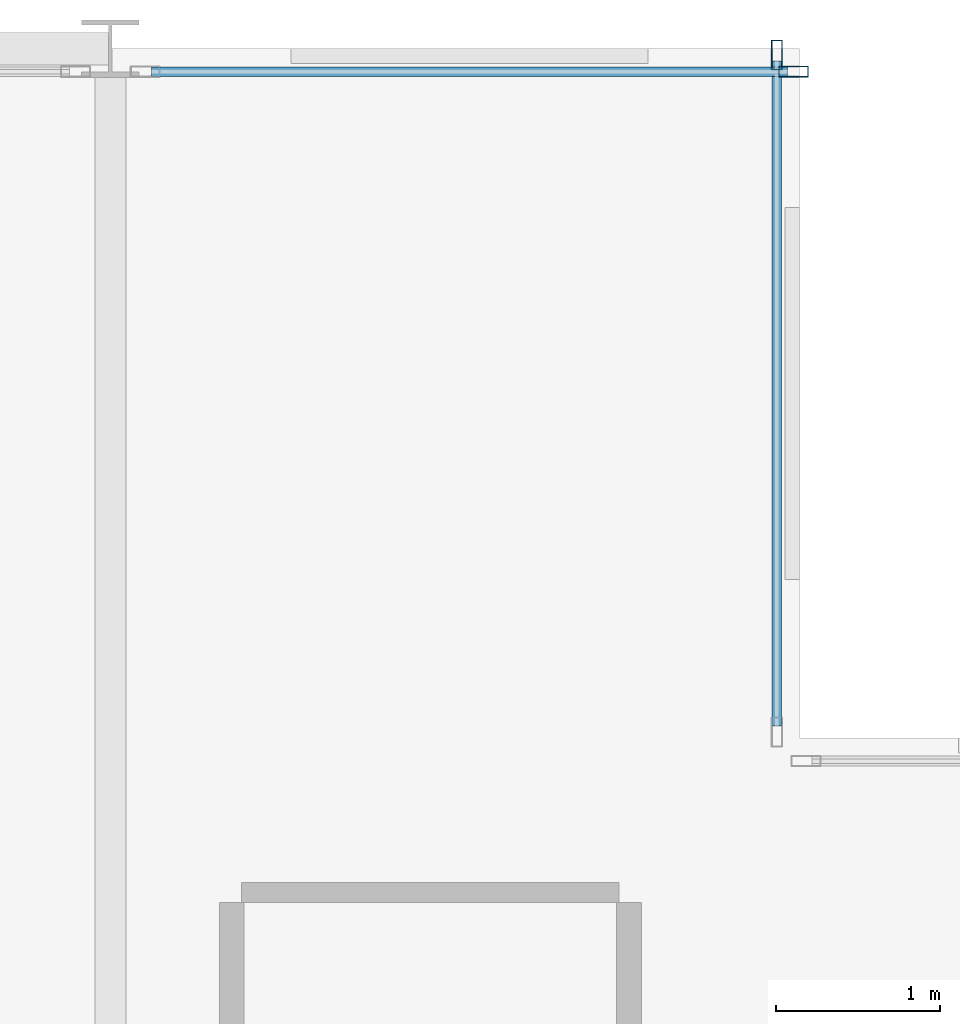
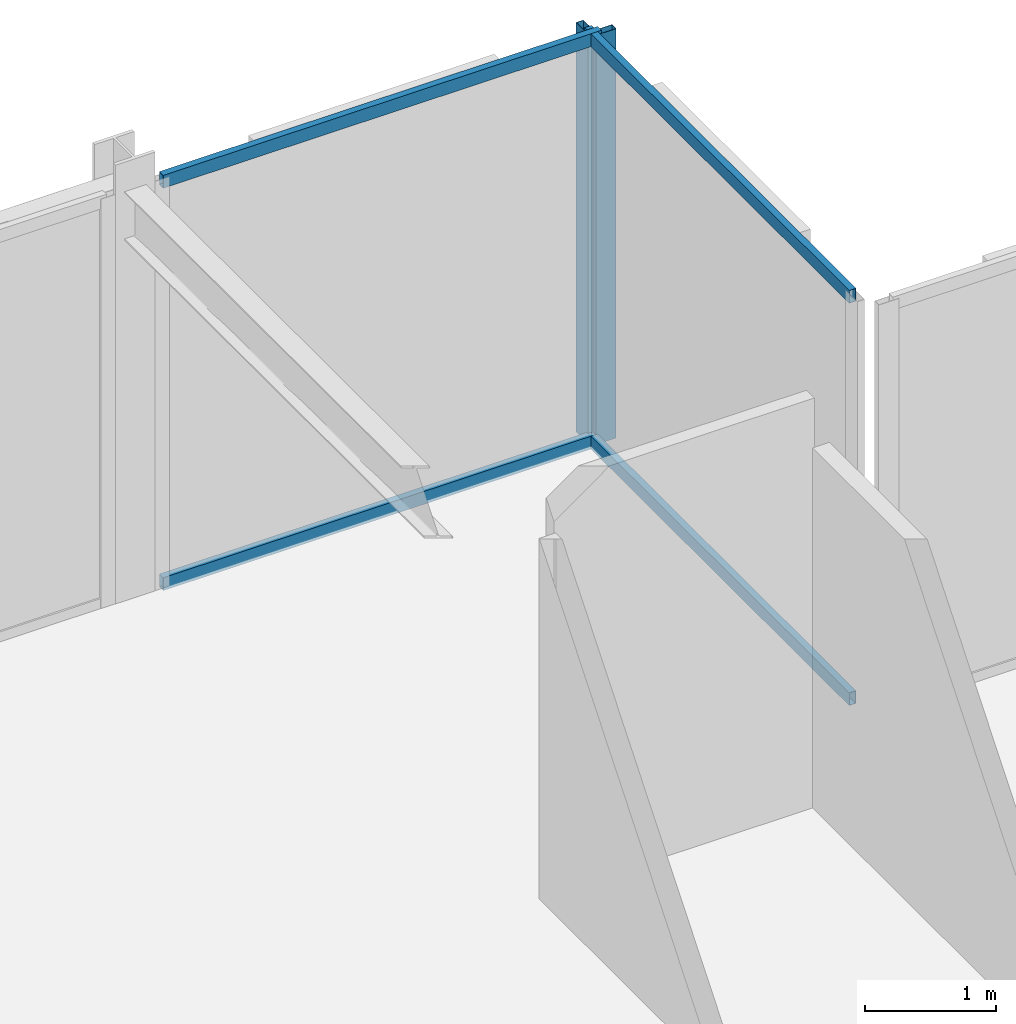
# One storey, part 21 of 29: 6 members, 2 elements without a shape of their own.
"""IFC4 building model written with IfcOpenShell, lengths in metres."""

from ifc_helpers import new_model, si_unit, direction, frame, origin, origin_2d, place, context, subcontext, project, spatial, hollow_rectangle, extrude, material, layer, layer_set, material_profile, profile_set, type_object, element, aggregate, save


model = new_model("IFC4")

# Units and contexts
model_context = context("Model", 3, precision=1e-05, world=origin(), true_north=direction((0.0, 1.0)))
body_context = subcontext(model_context, "Body", "Model", "MODEL_VIEW")
ifc_project = project(units=[si_unit("LENGTHUNIT", "METRE"), si_unit("AREAUNIT", "SQUARE_METRE"), si_unit("VOLUMEUNIT", "CUBIC_METRE"), si_unit("PLANEANGLEUNIT", "RADIAN"), si_unit("MASSUNIT", "GRAM", prefix="KILO")], contexts=[model_context])

# Site, building, storey
site_placement = place(None, origin())
site = spatial("IfcSite", under=ifc_project, at=site_placement, CompositionType="ELEMENT")
building_placement = place(site_placement, origin())
building = spatial("IfcBuilding", under=site, at=building_placement, Name="Nerrivon Quay Data Exchange", CompositionType="ELEMENT")
storey_placement = place(building_placement, frame((0.0, 0.0, 196.0)))
storey = spatial("IfcBuildingStorey", under=building, at=storey_placement, Name="L46", CompositionType="ELEMENT", Elevation=196.0)

# Curtain wall, member
ifc_material = material(Name="Anodised aluminium 6063-T6", Category="aluminium")
ifc_layer = layer(ifc_material, 0.195068359375)
ifc_layer_set = layer_set([ifc_layer], Name="Anodised aluminium 6063-T6")
curtain_wall_type = type_object("IfcCurtainWallType", Name="CW-SYS-06", PredefinedType="NOTDEFINED", material=ifc_layer_set)
curtain_wall_1_placement = place(storey_placement, origin())
curtain_wall_1 = element("IfcCurtainWall", 1, at=curtain_wall_1_placement, inside=storey, type_object=curtain_wall_type, Name="L46 Unitised Curtain Wall 10", PredefinedType="NOTDEFINED")
ifc_material_profile_1 = material_profile(ifc_material, hollow_rectangle(XDim=0.06494140625, YDim=0.179931640625, WallThickness=0.00341796875, at=origin_2d()), Name="ALU-MULL-180x65")
ifc_profile_set_1 = profile_set([ifc_material_profile_1], Name="Anodised aluminium 6063-T6")
member_type_1 = type_object("IfcMemberType", Name="CWM-180x65", PredefinedType="MULLION", material=ifc_profile_set_1)
member_1_placement = place(storey_placement, frame((20.96240234375, 50.260009765625, 0.0), z_axis=(0.0, 0.0, 1.0), x_axis=(0.0, 1.0, 0.0)))
member_1 = element("IfcMember", 2, at=member_1_placement, type_object=member_type_1, Name="CW06 mullion 2", PredefinedType="MULLION", context=body_context, shape_type="SweptSolid", body=[
    extrude(hollow_rectangle(XDim=0.06494140625, YDim=0.179931640625, WallThickness=0.00341796875, at=origin_2d()), origin(), (0.0, 0.0, 1.0), 3.824951171875),
])

curtain_wall_2_placement = place(storey_placement, origin())
curtain_wall_2 = element("IfcCurtainWall", 3, at=curtain_wall_2_placement, inside=storey, type_object=curtain_wall_type, Name="L46 Unitised Curtain Wall 11", PredefinedType="NOTDEFINED")
member_2_placement = place(storey_placement, frame((20.860107421875, 50.362548828125, 0.0), z_axis=(0.0, 0.0, 1.0), x_axis=(1.0, 0.0, 0.0)))
member_2 = element("IfcMember", 4, at=member_2_placement, type_object=member_type_1, Name="CW06 mullion 1", PredefinedType="MULLION", context=body_context, shape_type="SweptSolid", body=[
    extrude(hollow_rectangle(XDim=0.06494140625, YDim=0.179931640625, WallThickness=0.00341796875, at=origin_2d()), origin(), (0.0, 0.0, 1.0), 3.824951171875),
])

# Member
ifc_material_profile_2 = material_profile(ifc_material, hollow_rectangle(XDim=0.06005859375, YDim=0.1201171875, WallThickness=0.003173828125, at=origin_2d()), Name="ALU-TRAN-120x60")
ifc_profile_set_2 = profile_set([ifc_material_profile_2], Name="Anodised aluminium 6063-T6")
member_type_2 = type_object("IfcMemberType", Name="CWT-120x60", PredefinedType="USERDEFINED", material=ifc_profile_set_2)
member_3_placement = place(storey_placement, frame((17.050048828125, 50.260009765625, 0.032470703125), z_axis=(1.0, 0.0, 0.0), x_axis=(0.0, 1.0, 0.0)))
member_3 = element("IfcMember", 5, at=member_3_placement, type_object=member_type_2, Name="CW06 transom 1.1", ObjectType="TRANSOM", PredefinedType="USERDEFINED", context=body_context, shape_type="SweptSolid", body=[
    extrude(hollow_rectangle(XDim=0.06005859375, YDim=0.1201171875, WallThickness=0.003173828125, at=origin_2d()), origin(), (0.0, 0.0, 1.0), 3.875),
])

member_4_placement = place(storey_placement, frame((17.050048828125, 50.260009765625, 3.79248046875), z_axis=(1.0, 0.0, 0.0), x_axis=(0.0, 1.0, 0.0)))
member_4 = element("IfcMember", 6, at=member_4_placement, type_object=member_type_2, Name="CW06 transom 1.2", ObjectType="TRANSOM", PredefinedType="USERDEFINED", context=body_context, shape_type="SweptSolid", body=[
    extrude(hollow_rectangle(XDim=0.06005859375, YDim=0.1201171875, WallThickness=0.003173828125, at=origin_2d()), origin(), (0.0, 0.0, 1.0), 3.875),
])

aggregate(curtain_wall_1, [member_1, member_3, member_4])

member_5_placement = place(storey_placement, frame((20.860107421875, 50.324951171875, 0.032470703125), z_axis=(0.0, -1.0, 0.0), x_axis=(1.0, 0.0, 0.0)))
member_5 = element("IfcMember", 7, at=member_5_placement, type_object=member_type_2, Name="CW06 transom 1.1", ObjectType="TRANSOM", PredefinedType="USERDEFINED", context=body_context, shape_type="SweptSolid", body=[
    extrude(hollow_rectangle(XDim=0.06005859375, YDim=0.1201171875, WallThickness=0.003173828125, at=origin_2d()), origin(), (0.0, 0.0, 1.0), 4.050048828125),
])

member_6_placement = place(storey_placement, frame((20.860107421875, 50.324951171875, 3.79248046875), z_axis=(0.0, -1.0, 0.0), x_axis=(1.0, 0.0, 0.0)))
member_6 = element("IfcMember", 8, at=member_6_placement, type_object=member_type_2, Name="CW06 transom 1.2", ObjectType="TRANSOM", PredefinedType="USERDEFINED", context=body_context, shape_type="SweptSolid", body=[
    extrude(hollow_rectangle(XDim=0.06005859375, YDim=0.1201171875, WallThickness=0.003173828125, at=origin_2d()), origin(), (0.0, 0.0, 1.0), 4.050048828125),
])

aggregate(curtain_wall_2, [member_2, member_5, member_6])

save(model, "model.ifc")
